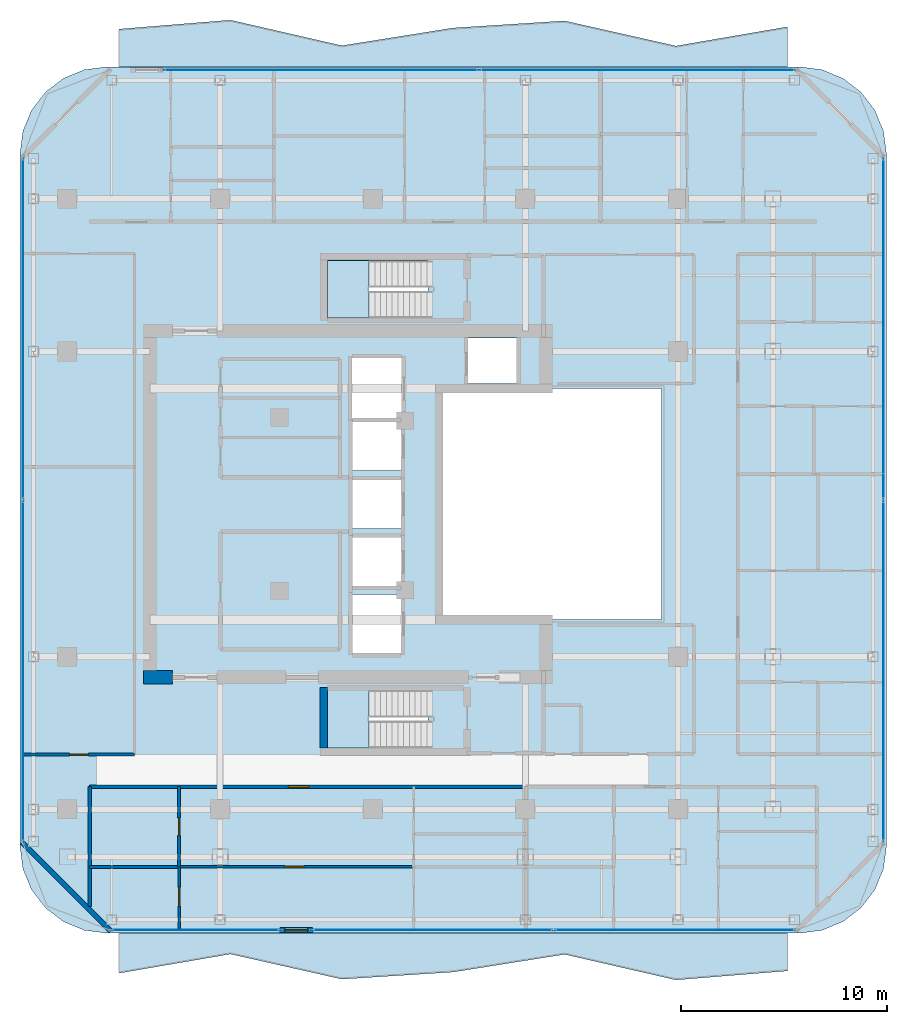
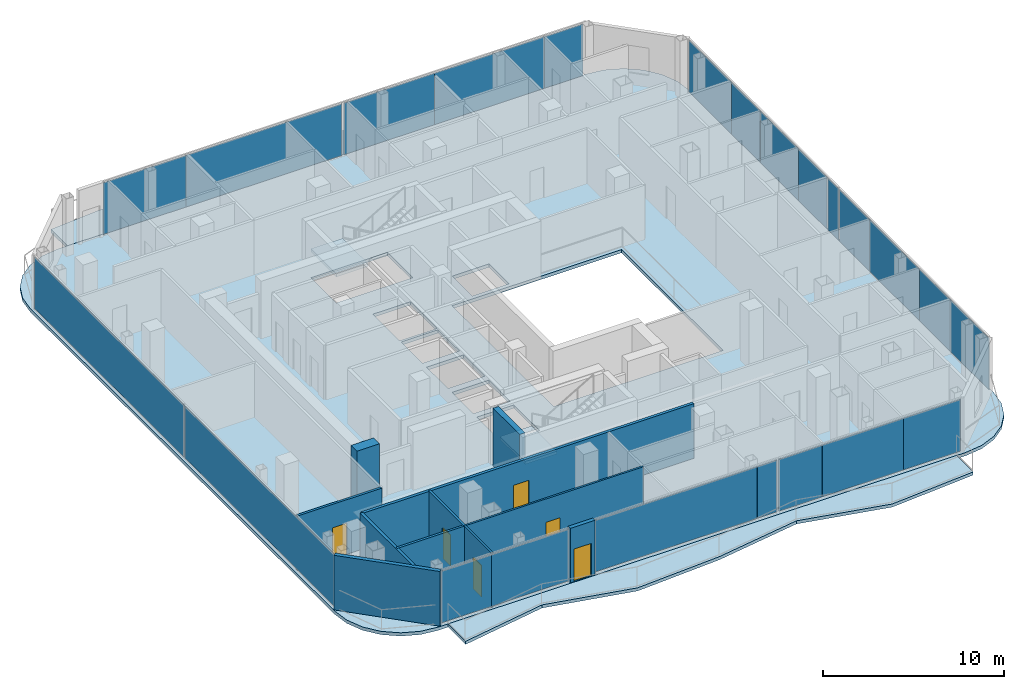
# One storey, part 15 of 23: 23 plates, 11 walls, 6 doors, 5 slabs, 6 openings, 7 elements without a shape of their own.
"""IFC4 building model written with IfcOpenShell, lengths in metres."""

from ifc_helpers import new_model, si_unit, direction, frame, frame_2d, origin, origin_2d, place, context, subcontext, project, spatial, polyline, rectangle, outline, extrude, material, layer, layer_set, type_object, element, fill, aggregate, save


model = new_model("IFC4")

# Units and contexts
model_context = context("Model", 3, precision=1e-05, world=origin(), true_north=direction((0.0, 1.0)))
body_context = subcontext(model_context, "Body", "Model", "MODEL_VIEW")
ifc_project = project(units=[si_unit("LENGTHUNIT", "METRE"), si_unit("AREAUNIT", "SQUARE_METRE"), si_unit("VOLUMEUNIT", "CUBIC_METRE"), si_unit("PLANEANGLEUNIT", "RADIAN"), si_unit("MASSUNIT", "GRAM", prefix="KILO")], contexts=[model_context])

# Site, building, storey
site_placement = place(None, origin())
site = spatial("IfcSite", under=ifc_project, at=site_placement, CompositionType="ELEMENT")
building_placement = place(site_placement, origin())
building = spatial("IfcBuilding", under=site, at=building_placement, Name="Khorvyn Point Tower", CompositionType="ELEMENT")
storey_placement = place(building_placement, frame((0.0, 0.0, 258.60009765625)))
storey = spatial("IfcBuildingStorey", under=building, at=storey_placement, Name="L63", CompositionType="ELEMENT", Elevation=258.60009765625)

# Slabs
ifc_material_1 = material(Name="Concrete C35/45", Category="concrete")
ifc_layer_1 = layer(ifc_material_1, 0.219970703125)
ifc_layer_set_1 = layer_set([ifc_layer_1], Name="Concrete C35/45 Structural Floor Slab 220")
slab_type_1 = type_object("IfcSlabType", Name="Concrete C35/45 Structural Floor Slab 220", PredefinedType="FLOOR", material=ifc_layer_set_1)
slab_1_placement = place(storey_placement, frame((0.0, 0.0, -0.22021484375)))
element("IfcSlab", 1, at=slab_1_placement, inside=storey, type_object=slab_type_1, Name="L63 Main Structural Floor Slab", PredefinedType="FLOOR", context=body_context, shape_type="SweptSolid", body=[
    extrude(outline(polyline([(-12.89990234375, -20.800048828125), (-13.987060546875, -20.656982421875), (-15.0, -20.2373046875), (-15.869873046875, -19.56982421875), (-16.537353515625, -18.699951171875), (-16.956787109375, -17.68701171875), (-17.10009765625, -16.60009765625), (-17.10009765625, 17.0), (-16.956787109375, 18.0869140625), (-16.537353515625, 19.10009765625), (-15.869873046875, 19.9697265625), (-15.0, 20.63720703125), (-13.987060546875, 21.056884765625), (-12.89990234375, 21.199951171875), (20.699951171875, 21.199951171875), (21.787109375, 21.056884765625), (22.800048828125, 20.63720703125), (23.669921875, 19.9697265625), (24.33740234375, 19.10009765625), (24.7568359375, 18.0869140625), (24.89990234375, 17.0), (24.89990234375, -16.60009765625), (24.7568359375, -17.68701171875), (24.33740234375, -18.699951171875), (23.669921875, -19.56982421875), (22.800048828125, -20.2373046875), (21.787109375, -20.656982421875), (20.699951171875, -20.800048828125), (-12.89990234375, -20.800048828125)]), holes=[polyline([(2.679931640625, -11.820068359375), (2.679931640625, -9.02001953125), (-2.199951171875, -9.02001953125), (-2.199951171875, -11.820068359375), (2.679931640625, -11.820068359375)]), polyline([(1.375, -7.22509765625), (1.375, -4.375), (-0.97509765625, -4.375), (-0.97509765625, -7.22509765625), (1.375, -7.22509765625)]), polyline([(1.375, -3.97509765625), (1.375, -1.625), (-0.97509765625, -1.625), (-0.97509765625, -3.97509765625), (1.375, -3.97509765625)]), polyline([(1.375, -1.175048828125), (1.375, 1.175048828125), (-0.97509765625, 1.175048828125), (-0.97509765625, -1.175048828125), (1.375, -1.175048828125)]), polyline([(14.0, -5.60009765625), (14.0, 5.60009765625), (3.199951171875, 5.60009765625), (3.199951171875, -5.60009765625), (14.0, -5.60009765625)]), polyline([(1.375, 1.625), (1.375, 3.97509765625), (-0.97509765625, 3.97509765625), (-0.97509765625, 1.625), (1.375, 1.625)]), polyline([(1.39990234375, 4.125), (1.39990234375, 7.074951171875), (-1.0, 7.074951171875), (-1.0, 4.125), (1.39990234375, 4.125)]), polyline([(4.625, 5.85009765625), (6.97509765625, 5.85009765625), (6.97509765625, 8.054931640625), (4.625, 8.054931640625), (4.625, 5.85009765625)]), polyline([(-2.199951171875, 9.02001953125), (2.679931640625, 9.02001953125), (2.679931640625, 11.820068359375), (-2.199951171875, 11.820068359375), (-2.199951171875, 9.02001953125)])]), origin(), (0.0, 0.0, 1.0), 0.22021484375),
])
ifc_material_2 = material(Name="Concrete C40/50", Category="concrete")
ifc_layer_2 = layer(ifc_material_2, 0.2099609375)
ifc_layer_set_2 = layer_set([ifc_layer_2], Name="Concrete C40/50 Rippling Balcony Slab 210")
slab_type_2 = type_object("IfcSlabType", Name="Concrete C40/50 Rippling Balcony Slab 210", PredefinedType="USERDEFINED", material=ifc_layer_set_2)
slab_2_placement = place(storey_placement, frame((0.0, 0.0, -0.210205078125)))
element("IfcSlab", 2, at=slab_2_placement, inside=storey, type_object=slab_type_2, Name="L63 North Sinusoidal Rippling Balcony", ObjectType="BALCONY", PredefinedType="USERDEFINED", context=body_context, shape_type="SweptSolid", body=[
    extrude(outline(polyline([(20.10009765625, 21.199951171875), (20.10009765625, 23.1416015625), (14.699951171875, 22.21240234375), (9.300048828125, 23.43017578125), (3.89990234375, 23.086669921875), (-1.5, 22.22802734375), (-6.89990234375, 23.46875), (-12.300048828125, 23.031005859375), (-12.300048828125, 21.199951171875), (20.10009765625, 21.199951171875)])), origin(), (0.0, 0.0, 1.0), 0.210205078125),
])
slab_3_placement = place(storey_placement, frame((0.0, 0.0, -0.210205078125)))
element("IfcSlab", 3, at=slab_3_placement, inside=storey, type_object=slab_type_2, Name="L63 South Sinusoidal Rippling Balcony", ObjectType="BALCONY", PredefinedType="USERDEFINED", context=body_context, shape_type="SweptSolid", body=[
    extrude(outline(polyline([(-12.300048828125, -20.800048828125), (-12.300048828125, -22.741455078125), (-6.89990234375, -21.8125), (-1.5, -23.0302734375), (3.89990234375, -22.686767578125), (9.300048828125, -21.827880859375), (14.699951171875, -23.06884765625), (20.10009765625, -22.630859375), (20.10009765625, -20.800048828125), (-12.300048828125, -20.800048828125)])), origin(), (0.0, 0.0, 1.0), 0.210205078125),
])

# Stair, slab
stair_type = type_object("IfcStairType", Name="Tower Concrete C40/50 Dogleg Exit Stair", PredefinedType="HALF_TURN_STAIR", material=ifc_material_2)
stair_1_placement = place(storey_placement, origin())
stair_1 = element("IfcStair", 4, at=stair_1_placement, inside=storey, type_object=stair_type, Name="L63 Tower Smokeproof Exit Stair South", PredefinedType="HALF_TURN_STAIR")
ifc_layer_3 = layer(ifc_material_2, 0.199951171875)
ifc_layer_set_3 = layer_set([ifc_layer_3], Name="Concrete C40/50 Stair Landing Slab 200")
slab_type_3 = type_object("IfcSlabType", Name="Concrete C40/50 Stair Landing Slab 200", PredefinedType="LANDING", material=ifc_layer_set_3)
slab_4_placement = place(storey_placement, frame((0.0, 0.0, 1.75)))
slab_4 = element("IfcSlab", 5, at=slab_4_placement, type_object=slab_type_3, Name="ST-01 landing 1", PredefinedType="LANDING", context=body_context, shape_type="SweptSolid", body=[
    extrude(outline(polyline([(-0.179931640625, -9.02001953125), (-2.199951171875, -9.02001953125), (-2.199951171875, -11.820068359375), (-0.179931640625, -11.820068359375), (-0.179931640625, -9.02001953125)])), origin(), (0.0, 0.0, 1.0), 0.199951171875),
])
aggregate(stair_1, [slab_4])

stair_2_placement = place(storey_placement, origin())
stair_2 = element("IfcStair", 6, at=stair_2_placement, inside=storey, type_object=stair_type, Name="L63 Tower Smokeproof Exit Stair North", PredefinedType="HALF_TURN_STAIR")
slab_5_placement = place(storey_placement, frame((0.0, 0.0, 1.75)))
slab_5 = element("IfcSlab", 7, at=slab_5_placement, type_object=slab_type_3, Name="ST-02 landing 1", PredefinedType="LANDING", context=body_context, shape_type="SweptSolid", body=[
    extrude(outline(polyline([(-0.179931640625, 11.820068359375), (-2.199951171875, 11.820068359375), (-2.199951171875, 9.02001953125), (-0.179931640625, 9.02001953125), (-0.179931640625, 11.820068359375)])), origin(), (0.0, 0.0, 1.0), 0.199951171875),
])
aggregate(stair_2, [slab_5])

# Curtain wall, plates
ifc_material_3 = material(Name="Anodised aluminium 6063-T6 and laminated Low-E glass", Category="aluminium")
ifc_layer_4 = layer(ifc_material_3, 0.18994140625)
ifc_layer_set_4 = layer_set([ifc_layer_4], Name="Stick-Built High-Wind Curtain Wall CW-SYS-04")
curtain_wall_type = type_object("IfcCurtainWallType", Name="Stick-Built High-Wind Curtain Wall CW-SYS-04", PredefinedType="NOTDEFINED", material=ifc_layer_set_4)
curtain_wall_1_placement = place(storey_placement, origin())
curtain_wall_1 = element("IfcCurtainWall", 8, at=curtain_wall_1_placement, inside=storey, type_object=curtain_wall_type, Name="Curtain Wall", PredefinedType="NOTDEFINED")
ifc_material_4 = material(Name="Laminated Low-E insulated glass", Category="glass")
ifc_layer_5 = layer(ifc_material_4, 0.028076171875)
ifc_layer_set_5 = layer_set([ifc_layer_5], Name="Tempered Low-E Vision Glazing Panel CW-GL28")
plate_type = type_object("IfcPlateType", Name="Tempered Low-E Vision Glazing Panel CW-GL28", PredefinedType="CURTAIN_PANEL", material=ifc_layer_set_5)
plate_1_placement = place(storey_placement, frame((10.228515625, -20.64990234375, 0.099853515625), z_axis=(0.0, 0.0, 1.0), x_axis=(-1.0, 0.0, 0.0)))
plate_1 = element("IfcPlate", 9, at=plate_1_placement, type_object=plate_type, Name="Panel", PredefinedType="CURTAIN_PANEL", context=body_context, shape_type="SweptSolid", body=[
    extrude(rectangle(XDim=2.782958984375, YDim=0.028076171875, at=origin_2d()), origin(), (0.0, 0.0, 1.0), 3.47998046875),
])
plate_2_placement = place(storey_placement, frame((14.2109375, -20.64990234375, 0.099853515625), z_axis=(0.0, 0.0, 1.0), x_axis=(-1.0, 0.0, 0.0)))
plate_2 = element("IfcPlate", 10, at=plate_2_placement, type_object=plate_type, Name="Panel", PredefinedType="CURTAIN_PANEL", context=body_context, shape_type="SweptSolid", body=[
    extrude(rectangle(XDim=5.166015625, YDim=0.028076171875, at=origin_2d()), origin(), (0.0, 0.0, 1.0), 3.47998046875),
])
plate_3_placement = place(storey_placement, frame((18.6240234375, -20.64990234375, 0.099853515625), z_axis=(0.0, 0.0, 1.0), x_axis=(-1.0, 0.0, 0.0)))
plate_3 = element("IfcPlate", 11, at=plate_3_placement, type_object=plate_type, Name="Panel", PredefinedType="CURTAIN_PANEL", context=body_context, shape_type="SweptSolid", body=[
    extrude(rectangle(XDim=3.64404296875, YDim=0.028076171875, at=origin_2d()), origin(), (0.0, 0.0, 1.0), 3.47998046875),
])
plate_4_placement = place(storey_placement, frame((2.300048828125, -20.64990234375, 0.099853515625), z_axis=(0.0, 0.0, 1.0), x_axis=(-1.0, 0.0, 0.0)))
plate_4 = element("IfcPlate", 12, at=plate_4_placement, type_object=plate_type, Name="Panel", PredefinedType="CURTAIN_PANEL", context=body_context, shape_type="SweptSolid", body=[
    extrude(rectangle(XDim=10.360107421875, YDim=0.028076171875, at=origin_2d()), origin(), (0.0, 0.0, 1.0), 3.47998046875),
])
plate_5_placement = place(storey_placement, frame((8.1083984375, -20.64990234375, 0.099853515625), z_axis=(0.0, 0.0, 1.0), x_axis=(-1.0, 0.0, 0.0)))
plate_5 = element("IfcPlate", 13, at=plate_5_placement, type_object=plate_type, Name="Panel", PredefinedType="CURTAIN_PANEL", context=body_context, shape_type="SweptSolid", body=[
    extrude(rectangle(XDim=1.240966796875, YDim=0.028076171875, at=origin_2d()), origin(), (0.0, 0.0, 1.0), 3.47998046875),
])
aggregate(curtain_wall_1, [plate_1, plate_2, plate_3, plate_4, plate_5])

curtain_wall_2_placement = place(storey_placement, origin())
curtain_wall_2 = element("IfcCurtainWall", 14, at=curtain_wall_2_placement, inside=storey, type_object=curtain_wall_type, Name="Curtain Wall", PredefinedType="NOTDEFINED")
plate_6_placement = place(storey_placement, frame((-11.050048828125, -20.64990234375, 0.099853515625), z_axis=(0.0, 0.0, 1.0), x_axis=(-1.0, 0.0, 0.0)))
plate_6 = element("IfcPlate", 15, at=plate_6_placement, type_object=plate_type, Name="Panel", PredefinedType="CURTAIN_PANEL", context=body_context, shape_type="SweptSolid", body=[
    extrude(rectangle(XDim=3.19189453125, YDim=0.028076171875, at=origin_2d()), origin(), (0.0, 0.0, 1.0), 3.47998046875),
])
plate_7_placement = place(storey_placement, frame((-6.987060546875, -20.64990234375, 0.099853515625), z_axis=(0.0, 0.0, 1.0), x_axis=(-1.0, 0.0, 0.0)))
plate_7 = element("IfcPlate", 16, at=plate_7_placement, type_object=plate_type, Name="Panel", PredefinedType="CURTAIN_PANEL", context=body_context, shape_type="SweptSolid", body=[
    extrude(rectangle(XDim=4.91796875, YDim=0.028076171875, at=origin_2d()), origin(), (0.0, 0.0, 1.0), 3.47998046875),
])
aggregate(curtain_wall_2, [plate_6, plate_7])

curtain_wall_3_placement = place(storey_placement, origin())
curtain_wall_3 = element("IfcCurtainWall", 17, at=curtain_wall_3_placement, inside=storey, type_object=curtain_wall_type, Name="Curtain Wall", PredefinedType="NOTDEFINED")
plate_8_placement = place(storey_placement, frame((-7.488525390625, 21.050048828125, 0.099853515625), z_axis=(0.0, 0.0, 1.0), x_axis=(1.0, 0.0, 0.0)))
plate_8 = element("IfcPlate", 18, at=plate_8_placement, type_object=plate_type, Name="Panel", PredefinedType="CURTAIN_PANEL", context=body_context, shape_type="SweptSolid", body=[
    extrude(rectangle(XDim=5.262939453125, YDim=0.028076171875, at=origin_2d()), origin(), (0.0, 0.0, 1.0), 3.47998046875),
])
plate_9_placement = place(storey_placement, frame((0.1298828125, 21.050048828125, 0.099853515625), z_axis=(0.0, 0.0, 1.0), x_axis=(1.0, 0.0, 0.0)))
plate_9 = element("IfcPlate", 19, at=plate_9_placement, type_object=plate_type, Name="Panel", PredefinedType="CURTAIN_PANEL", context=body_context, shape_type="SweptSolid", body=[
    extrude(rectangle(XDim=9.9580078125, YDim=0.028076171875, at=origin_2d()), origin(), (0.0, 0.0, 1.0), 3.47998046875),
])
plate_10_placement = place(storey_placement, frame((8.097412109375, 21.050048828125, 0.099853515625), z_axis=(0.0, 0.0, 1.0), x_axis=(1.0, 0.0, 0.0)))
plate_10 = element("IfcPlate", 20, at=plate_10_placement, type_object=plate_type, Name="Panel", PredefinedType="CURTAIN_PANEL", context=body_context, shape_type="SweptSolid", body=[
    extrude(rectangle(XDim=5.760986328125, YDim=0.028076171875, at=origin_2d()), origin(), (0.0, 0.0, 1.0), 3.47998046875),
])
plate_11_placement = place(storey_placement, frame((14.49609375, 21.050048828125, 0.099853515625), z_axis=(0.0, 0.0, 1.0), x_axis=(1.0, 0.0, 0.0)))
plate_11 = element("IfcPlate", 21, at=plate_11_placement, type_object=plate_type, Name="Panel", PredefinedType="CURTAIN_PANEL", context=body_context, shape_type="SweptSolid", body=[
    extrude(rectangle(XDim=7.02001953125, YDim=0.028076171875, at=origin_2d()), origin(), (0.0, 0.0, 1.0), 3.47998046875),
])
plate_12_placement = place(storey_placement, frame((19.22998046875, 21.050048828125, 0.099853515625), z_axis=(0.0, 0.0, 1.0), x_axis=(1.0, 0.0, 0.0)))
plate_12 = element("IfcPlate", 22, at=plate_12_placement, type_object=plate_type, Name="Panel", PredefinedType="CURTAIN_PANEL", context=body_context, shape_type="SweptSolid", body=[
    extrude(rectangle(XDim=2.431884765625, YDim=0.028076171875, at=origin_2d()), origin(), (0.0, 0.0, 1.0), 3.47998046875),
])
aggregate(curtain_wall_3, [plate_8, plate_9, plate_10, plate_11, plate_12])

curtain_wall_4_placement = place(storey_placement, origin())
curtain_wall_4 = element("IfcCurtainWall", 23, at=curtain_wall_4_placement, inside=storey, type_object=curtain_wall_type, Name="Curtain Wall", PredefinedType="NOTDEFINED")
plate_13_placement = place(storey_placement, frame((-16.949951171875, -8.10009765625, 0.099853515625), z_axis=(0.0, 0.0, 1.0), x_axis=(0.0, 1.0, 0.0)))
plate_13 = element("IfcPlate", 24, at=plate_13_placement, type_object=plate_type, Name="Panel", PredefinedType="CURTAIN_PANEL", context=body_context, shape_type="SweptSolid", body=[
    extrude(rectangle(XDim=16.5, YDim=0.028076171875, at=origin_2d()), origin(), (0.0, 0.0, 1.0), 3.47998046875),
])
plate_14_placement = place(storey_placement, frame((-16.949951171875, 8.5, 0.099853515625), z_axis=(0.0, 0.0, 1.0), x_axis=(0.0, 1.0, 0.0)))
plate_14 = element("IfcPlate", 25, at=plate_14_placement, type_object=plate_type, Name="Panel", PredefinedType="CURTAIN_PANEL", context=body_context, shape_type="SweptSolid", body=[
    extrude(rectangle(XDim=16.5, YDim=0.028076171875, at=origin_2d()), origin(), (0.0, 0.0, 1.0), 3.47998046875),
])
aggregate(curtain_wall_4, [plate_13, plate_14])

curtain_wall_5_placement = place(storey_placement, origin())
curtain_wall_5 = element("IfcCurtainWall", 26, at=curtain_wall_5_placement, inside=storey, type_object=curtain_wall_type, Name="Curtain Wall", PredefinedType="NOTDEFINED")
plate_15_placement = place(storey_placement, frame((24.75, 0.822021484375, 0.099853515625), z_axis=(0.0, 0.0, 1.0), x_axis=(0.0, -1.0, 0.0)))
plate_15 = element("IfcPlate", 27, at=plate_15_placement, type_object=plate_type, Name="Panel", PredefinedType="CURTAIN_PANEL", context=body_context, shape_type="SweptSolid", body=[
    extrude(rectangle(XDim=1.135986328125, YDim=0.028076171875, at=origin_2d()), origin(), (0.0, 0.0, 1.0), 3.47998046875),
])
plate_16_placement = place(storey_placement, frame((24.75, 3.10009765625, 0.099853515625), z_axis=(0.0, 0.0, 1.0), x_axis=(0.0, -1.0, 0.0)))
plate_16 = element("IfcPlate", 28, at=plate_16_placement, type_object=plate_type, Name="Panel", PredefinedType="CURTAIN_PANEL", context=body_context, shape_type="SweptSolid", body=[
    extrude(rectangle(XDim=3.1640625, YDim=0.028076171875, at=origin_2d()), origin(), (0.0, 0.0, 1.0), 3.47998046875),
])
plate_17_placement = place(storey_placement, frame((24.75, 6.787109375, 0.099853515625), z_axis=(0.0, 0.0, 1.0), x_axis=(0.0, -1.0, 0.0)))
plate_17 = element("IfcPlate", 29, at=plate_17_placement, type_object=plate_type, Name="Panel", PredefinedType="CURTAIN_PANEL", context=body_context, shape_type="SweptSolid", body=[
    extrude(rectangle(XDim=4.194091796875, YDim=0.028076171875, at=origin_2d()), origin(), (0.0, 0.0, 1.0), 3.47998046875),
])
plate_18_placement = place(storey_placement, frame((24.75, 10.47412109375, 0.099853515625), z_axis=(0.0, 0.0, 1.0), x_axis=(0.0, -1.0, 0.0)))
plate_18 = element("IfcPlate", 30, at=plate_18_placement, type_object=plate_type, Name="Panel", PredefinedType="CURTAIN_PANEL", context=body_context, shape_type="SweptSolid", body=[
    extrude(rectangle(XDim=3.1640625, YDim=0.028076171875, at=origin_2d()), origin(), (0.0, 0.0, 1.0), 3.47998046875),
])
plate_19_placement = place(storey_placement, frame((24.75, 14.405029296875, 0.099853515625), z_axis=(0.0, 0.0, 1.0), x_axis=(0.0, -1.0, 0.0)))
plate_19 = element("IfcPlate", 31, at=plate_19_placement, type_object=plate_type, Name="Panel", PredefinedType="CURTAIN_PANEL", context=body_context, shape_type="SweptSolid", body=[
    extrude(rectangle(XDim=4.681884765625, YDim=0.028076171875, at=origin_2d()), origin(), (0.0, 0.0, 1.0), 3.47998046875),
])
plate_20_placement = place(storey_placement, frame((24.75, -14.205078125, 0.099853515625), z_axis=(0.0, 0.0, 1.0), x_axis=(0.0, -1.0, 0.0)))
plate_20 = element("IfcPlate", 32, at=plate_20_placement, type_object=plate_type, Name="Panel", PredefinedType="CURTAIN_PANEL", context=body_context, shape_type="SweptSolid", body=[
    extrude(rectangle(XDim=4.281982421875, YDim=0.028076171875, at=origin_2d()), origin(), (0.0, 0.0, 1.0), 3.47998046875),
])
plate_21_placement = place(storey_placement, frame((24.75, -10.37353515625, 0.099853515625), z_axis=(0.0, 0.0, 1.0), x_axis=(0.0, -1.0, 0.0)))
plate_21 = element("IfcPlate", 33, at=plate_21_placement, type_object=plate_type, Name="Panel", PredefinedType="CURTAIN_PANEL", context=body_context, shape_type="SweptSolid", body=[
    extrude(rectangle(XDim=3.364990234375, YDim=0.028076171875, at=origin_2d()), origin(), (0.0, 0.0, 1.0), 3.47998046875),
])
plate_22_placement = place(storey_placement, frame((24.75, -5.925048828125, 0.099853515625), z_axis=(0.0, 0.0, 1.0), x_axis=(0.0, -1.0, 0.0)))
plate_22 = element("IfcPlate", 34, at=plate_22_placement, type_object=plate_type, Name="Panel", PredefinedType="CURTAIN_PANEL", context=body_context, shape_type="SweptSolid", body=[
    extrude(rectangle(XDim=5.51611328125, YDim=0.028076171875, at=origin_2d()), origin(), (0.0, 0.0, 1.0), 3.47998046875),
])
plate_23_placement = place(storey_placement, frame((24.75, -1.506591796875, 0.099853515625), z_axis=(0.0, 0.0, 1.0), x_axis=(0.0, -1.0, 0.0)))
plate_23 = element("IfcPlate", 35, at=plate_23_placement, type_object=plate_type, Name="Panel", PredefinedType="CURTAIN_PANEL", context=body_context, shape_type="SweptSolid", body=[
    extrude(rectangle(XDim=3.304931640625, YDim=0.028076171875, at=origin_2d()), origin(), (0.0, 0.0, 1.0), 3.47998046875),
])
aggregate(curtain_wall_5, [plate_15, plate_16, plate_17, plate_18, plate_19, plate_20, plate_21, plate_22, plate_23])

# Wall, opening, door
ifc_material_5 = material(Name="Double acoustic gypsum on twin steel stud", Category="steel")
ifc_layer_6 = layer(ifc_material_5, 0.179931640625)
ifc_layer_set_6 = layer_set([ifc_layer_6], Name="Acoustic Double-Stud Apartment Demising Wall 180")
wall_type_1 = type_object("IfcWallType", Name="Acoustic Double-Stud Apartment Demising Wall 180", PredefinedType="PARTITIONING", material=ifc_layer_set_6)
wall_1_placement = place(storey_placement, frame((-13.719970703125, -13.699951171875, 0.0), z_axis=(0.0, 0.0, 1.0), x_axis=(1.0, 0.0, 0.0)))
wall_1 = element("IfcWall", 36, at=wall_1_placement, inside=storey, type_object=wall_type_1, Name="Wall", PredefinedType="PARTITIONING", context=body_context, shape_type="SweptSolid", body=[
    extrude(rectangle(XDim=21.14404296875, YDim=0.179931640625, at=frame_2d((10.572021484375, 0.0))), origin(), (0.0, 0.0, 1.0), 3.679931640625),
])
opening_1_placement = place(wall_1_placement, frame((9.62548828125, 0.0, 0.0)))
opening_1 = element("IfcOpeningElement", 37, at=opening_1_placement, cuts=wall_1, Name="Opening ID-AP60", PredefinedType="OPENING", context=body_context, shape_type="SweptSolid", body=[
    extrude(rectangle(XDim=1.0, YDim=2.199951171875, at=frame_2d((0.5, 1.10009765625))), frame((0.0, 0.099853515625, 0.0), z_axis=(0.0, -1.0, 0.0), x_axis=(1.0, 0.0, 0.0)), (0.0, 0.0, 1.0), 0.199951171875),
])
ifc_material_6 = material(Name="Engineered hardwood fire-rated leaf", Category="wood")
door_type_1 = type_object("IfcDoorType", Name="Acoustic Solid-Core Timber Apartment Entrance Door 1000x2200", OperationType="NOTDEFINED", PredefinedType="DOOR", material=ifc_material_6)
door_1_placement = place(opening_1_placement, origin())
door_1 = element("IfcDoor", 38, at=door_1_placement, inside=storey, type_object=door_type_1, Name="Door", OperationType="SINGLE_SWING_RIGHT", OverallHeight=2.199951171875, OverallWidth=1.0, PredefinedType="DOOR", context=body_context, shape_type="SweptSolid", body=[
    extrude(rectangle(XDim=1.0, YDim=2.199951171875, at=frame_2d((0.5, 1.10009765625))), frame((0.0, 0.02490234375, 0.0), z_axis=(0.0, -1.0, 0.0), x_axis=(1.0, 0.0, 0.0)), (0.0, 0.0, 1.0), 0.050048828125),
])
fill(opening_1, door_1)

# Wall
wall_2_placement = place(storey_placement, frame((-13.719970703125, -19.510009765625, 0.0), z_axis=(0.0, 0.0, 1.0), x_axis=(0.0, 1.0, 0.0)))
element("IfcWall", 39, at=wall_2_placement, inside=storey, type_object=wall_type_1, Name="Wall", PredefinedType="PARTITIONING", context=body_context, shape_type="SweptSolid", body=[
    extrude(rectangle(XDim=5.81005859375, YDim=0.179931640625, at=frame_2d((2.905029296875, 0.0))), origin(), (0.0, 0.0, 1.0), 3.679931640625),
])

# Wall, opening, door
ifc_material_7 = material(Name="Pale anodised aluminium rainscreen on steel stud", Category="steel")
ifc_layer_7 = layer(ifc_material_7, 0.239990234375)
ifc_layer_set_7 = layer_set([ifc_layer_7], Name="Anodised Aluminium Insulated Corner Spandrel Wall 240")
wall_type_2 = type_object("IfcWallType", Name="Anodised Aluminium Insulated Corner Spandrel Wall 240", PredefinedType="SOLIDWALL", material=ifc_layer_set_7)
wall_3_placement = place(storey_placement, frame((-2.9140625, -20.64990234375, 0.0), z_axis=(0.0, 0.0, 1.0), x_axis=(-1.0, 0.0, 0.0)))
wall_3 = element("IfcWall", 40, at=wall_3_placement, inside=storey, type_object=wall_type_2, Name="L63 South Outdoor Threshold Wall", PredefinedType="SOLIDWALL", context=body_context, shape_type="SweptSolid", body=[
    extrude(rectangle(XDim=1.579833984375, YDim=0.239990234375, at=frame_2d((0.7900390625, 0.0))), origin(), (0.0, 0.0, 1.0), 3.679931640625),
])
opening_2_placement = place(wall_3_placement, frame((0.239990234375, 0.0, 0.0)))
opening_2 = element("IfcOpeningElement", 41, at=opening_2_placement, cuts=wall_3, Name="Opening BD-1122", PredefinedType="OPENING", context=body_context, shape_type="SweptSolid", body=[
    extrude(rectangle(XDim=1.10009765625, YDim=2.199951171875, at=frame_2d((0.550048828125, 1.10009765625))), frame((0.0, 0.1298828125, 0.0), z_axis=(0.0, -1.0, 0.0), x_axis=(1.0, 0.0, 0.0)), (0.0, 0.0, 1.0), 0.260009765625),
])
door_type_2 = type_object("IfcDoorType", Name="Glazed Balcony and Terrace Threshold Door 1100x2200", OperationType="NOTDEFINED", PredefinedType="DOOR", material=ifc_material_3)
door_2_placement = place(opening_2_placement, origin())
door_2 = element("IfcDoor", 42, at=door_2_placement, inside=storey, type_object=door_type_2, Name="L63 South Glazed Balcony Outdoor Door", OperationType="SINGLE_SWING_RIGHT", OverallHeight=2.199951171875, OverallWidth=1.10009765625, PredefinedType="DOOR", context=body_context, shape_type="SweptSolid", body=[
    extrude(rectangle(XDim=1.10009765625, YDim=2.199951171875, at=frame_2d((0.550048828125, 1.10009765625))), frame((0.0, 0.02490234375, 0.0), z_axis=(0.0, -1.0, 0.0), x_axis=(1.0, 0.0, 0.0)), (0.0, 0.0, 1.0), 0.050048828125),
])
fill(opening_2, door_2)

# Walls
wall_4_placement = place(storey_placement, frame((-12.70751953125, -20.6923828125, 0.0), z_axis=(0.0, 0.0, 1.0), x_axis=(-0.707126925818, 0.707086635981, 0.0)))
element("IfcWall", 43, at=wall_4_placement, inside=storey, type_object=wall_type_2, Name="L63 Rounded Corner Wall SW", PredefinedType="SOLIDWALL", context=body_context, shape_type="SweptSolid", body=[
    extrude(rectangle(XDim=6.0595703125, YDim=0.239990234375, at=frame_2d((3.02978515625, 0.0))), origin(), (0.0, 0.0, 1.0), 3.679931640625),
])
ifc_layer_8 = layer(ifc_material_2, 0.64990234375)
ifc_layer_set_8 = layer_set([ifc_layer_8], Name="Concrete C40/50 Core Shear Wall 650")
wall_type_3 = type_object("IfcWallType", Name="Concrete C40/50 Core Shear Wall 650", PredefinedType="SHEAR", material=ifc_layer_set_8)
wall_5_placement = place(storey_placement, frame((-11.125, -8.39990234375, 0.0), z_axis=(0.0, 0.0, 1.0), x_axis=(1.0, 0.0, 0.0)))
element("IfcWall", 44, at=wall_5_placement, inside=storey, type_object=wall_type_3, Name="Wall", PredefinedType="SHEAR", context=body_context, shape_type="SweptSolid", body=[
    extrude(rectangle(XDim=1.425048828125, YDim=0.64990234375, at=frame_2d((0.71240234375, 0.0))), origin(), (0.0, 0.0, 1.0), 3.89990234375),
])
ifc_layer_9 = layer(ifc_material_2, 0.35009765625)
ifc_layer_set_9 = layer_set([ifc_layer_9], Name="Concrete C40/50 Stair Shaft Structural Wall 350")
wall_type_4 = type_object("IfcWallType", Name="Concrete C40/50 Stair Shaft Structural Wall 350", PredefinedType="SHEAR", material=ifc_layer_set_9)
wall_6_placement = place(storey_placement, frame((-2.3798828125, -11.824951171875, 0.0), z_axis=(0.0, 0.0, 1.0), x_axis=(0.0, 1.0, 0.0)))
element("IfcWall", 45, at=wall_6_placement, inside=storey, type_object=wall_type_4, Name="L63 ST-01 West Shaft Wall", PredefinedType="SHEAR", context=body_context, shape_type="SweptSolid", body=[
    extrude(rectangle(XDim=2.925048828125, YDim=0.35009765625, at=frame_2d((1.46240234375, 0.0))), origin(), (0.0, 0.0, 1.0), 3.89990234375),
])

# Wall, opening, door
ifc_material_8 = material(Name="Gypsum plasterboard on steel stud", Category="steel")
ifc_layer_10 = layer(ifc_material_8, 0.1201171875)
ifc_layer_set_10 = layer_set([ifc_layer_10], Name="Gypsum Acoustic Stud Room Partition Wall 120")
wall_type_5 = type_object("IfcWallType", Name="Gypsum Acoustic Stud Room Partition Wall 120", PredefinedType="PARTITIONING", material=ifc_layer_set_10)
wall_7_placement = place(storey_placement, frame((-9.389892578125, -17.590087890625, 0.0), z_axis=(0.0, 0.0, 1.0), x_axis=(1.0, 0.0, 0.0)))
wall_7 = element("IfcWall", 46, at=wall_7_placement, inside=storey, type_object=wall_type_5, Name="Wall", PredefinedType="PARTITIONING", context=body_context, shape_type="SweptSolid", body=[
    extrude(rectangle(XDim=11.372802734375, YDim=0.1201171875, at=frame_2d((5.6865234375, 0.0))), origin(), (0.0, 0.0, 1.0), 3.679931640625),
])
opening_3_placement = place(wall_7_placement, frame((5.1474609375, 0.0, 0.0)))
opening_3 = element("IfcOpeningElement", 47, at=opening_3_placement, cuts=wall_7, Name="Opening ID-RM90", PredefinedType="OPENING", context=body_context, shape_type="SweptSolid", body=[
    extrude(rectangle(XDim=0.89990234375, YDim=2.10009765625, at=frame_2d((0.449951171875, 1.050048828125))), frame((0.0, 0.070068359375, 0.0), z_axis=(0.0, -1.0, 0.0), x_axis=(1.0, 0.0, 0.0)), (0.0, 0.0, 1.0), 0.14013671875),
])
ifc_material_9 = material(Name="Engineered oak veneer timber", Category="wood")
door_type_3 = type_object("IfcDoorType", Name="Flush Engineered Timber Room Door 900x2100", OperationType="NOTDEFINED", PredefinedType="DOOR", material=ifc_material_9)
door_3_placement = place(opening_3_placement, origin())
door_3 = element("IfcDoor", 48, at=door_3_placement, inside=storey, type_object=door_type_3, Name="Door", OperationType="SINGLE_SWING_LEFT", OverallHeight=2.10009765625, OverallWidth=0.89990234375, PredefinedType="DOOR", context=body_context, shape_type="SweptSolid", body=[
    extrude(rectangle(XDim=0.89990234375, YDim=2.10009765625, at=frame_2d((0.449951171875, 1.050048828125))), frame((0.0, 0.02490234375, 0.0), z_axis=(0.0, -1.0, 0.0), x_axis=(1.0, 0.0, 0.0)), (0.0, 0.0, 1.0), 0.050048828125),
])
fill(opening_3, door_3)

wall_8_placement = place(storey_placement, frame((-9.389892578125, -20.6298828125, 0.0), z_axis=(0.0, 0.0, 1.0), x_axis=(0.0, 1.0, 0.0)))
wall_8 = element("IfcWall", 49, at=wall_8_placement, inside=storey, type_object=wall_type_5, Name="Wall", PredefinedType="PARTITIONING", context=body_context, shape_type="SweptSolid", body=[
    extrude(rectangle(XDim=3.039794921875, YDim=0.1201171875, at=frame_2d((1.52001953125, 0.0))), origin(), (0.0, 0.0, 1.0), 3.679931640625),
])
opening_4_placement = place(wall_8_placement, frame((1.152587890625, 0.0, 0.0)))
opening_4 = element("IfcOpeningElement", 50, at=opening_4_placement, cuts=wall_8, Name="Opening ID-RM90", PredefinedType="OPENING", context=body_context, shape_type="SweptSolid", body=[
    extrude(rectangle(XDim=0.89990234375, YDim=2.10009765625, at=frame_2d((0.449951171875, 1.050048828125))), frame((0.0, 0.070068359375, 0.0), z_axis=(0.0, -1.0, 0.0), x_axis=(1.0, 0.0, 0.0)), (0.0, 0.0, 1.0), 0.14013671875),
])
door_4_placement = place(opening_4_placement, origin())
door_4 = element("IfcDoor", 51, at=door_4_placement, inside=storey, type_object=door_type_3, Name="Door", OperationType="SINGLE_SWING_LEFT", OverallHeight=2.10009765625, OverallWidth=0.89990234375, PredefinedType="DOOR", context=body_context, shape_type="SweptSolid", body=[
    extrude(rectangle(XDim=0.89990234375, YDim=2.10009765625, at=frame_2d((0.449951171875, 1.050048828125))), frame((0.0, 0.02490234375, 0.0), z_axis=(0.0, -1.0, 0.0), x_axis=(1.0, 0.0, 0.0)), (0.0, 0.0, 1.0), 0.050048828125),
])
fill(opening_4, door_4)

ifc_material_10 = material(Name="Moisture-resistant gypsum and cement board", Category="gypsum")
ifc_layer_11 = layer(ifc_material_10, 0.14990234375)
ifc_layer_set_11 = layer_set([ifc_layer_11], Name="Moisture-Resistant Wet-Room Partition Wall 150")
wall_type_6 = type_object("IfcWallType", Name="Moisture-Resistant Wet-Room Partition Wall 150", PredefinedType="PARTITIONING", material=ifc_layer_set_11)
wall_9_placement = place(storey_placement, frame((-9.389892578125, -17.590087890625, 0.0), z_axis=(0.0, 0.0, 1.0), x_axis=(0.0, 1.0, 0.0)))
wall_9 = element("IfcWall", 52, at=wall_9_placement, inside=storey, type_object=wall_type_6, Name="Wall", PredefinedType="PARTITIONING", context=body_context, shape_type="SweptSolid", body=[
    extrude(rectangle(XDim=3.89013671875, YDim=0.14990234375, at=frame_2d((1.945068359375, 0.0))), origin(), (0.0, 0.0, 1.0), 3.679931640625),
])
opening_5_placement = place(wall_9_placement, frame((1.52001953125, 0.0, 0.0)))
opening_5 = element("IfcOpeningElement", 53, at=opening_5_placement, cuts=wall_9, Name="Opening ID-WC85", PredefinedType="OPENING", context=body_context, shape_type="SweptSolid", body=[
    extrude(rectangle(XDim=0.85009765625, YDim=2.10009765625, at=frame_2d((0.425048828125, 1.050048828125))), frame((0.0, 0.0849609375, 0.0), z_axis=(0.0, -1.0, 0.0), x_axis=(1.0, 0.0, 0.0)), (0.0, 0.0, 1.0), 0.169921875),
])
ifc_material_11 = material(Name="High-pressure laminate on moisture-resistant core", Category="wood")
door_type_4 = type_object("IfcDoorType", Name="Moisture-Resistant Accessible Washroom Door 850x2100", OperationType="NOTDEFINED", PredefinedType="DOOR", material=ifc_material_11)
door_5_placement = place(opening_5_placement, origin())
door_5 = element("IfcDoor", 54, at=door_5_placement, inside=storey, type_object=door_type_4, Name="Door", OperationType="SINGLE_SWING_RIGHT", OverallHeight=2.10009765625, OverallWidth=0.85009765625, PredefinedType="DOOR", context=body_context, shape_type="SweptSolid", body=[
    extrude(rectangle(XDim=0.85009765625, YDim=2.10009765625, at=frame_2d((0.425048828125, 1.050048828125))), frame((0.0, 0.02490234375, 0.0), z_axis=(0.0, -1.0, 0.0), x_axis=(1.0, 0.0, 0.0)), (0.0, 0.0, 1.0), 0.050048828125),
])
fill(opening_5, door_5)

wall_10_placement = place(storey_placement, frame((-16.929931640625, -12.139892578125, 0.0), z_axis=(0.0, 0.0, 1.0), x_axis=(1.0, 0.0, 0.0)))
wall_10 = element("IfcWall", 55, at=wall_10_placement, inside=storey, type_object=wall_type_6, Name="Wall", PredefinedType="PARTITIONING", context=body_context, shape_type="SweptSolid", body=[
    extrude(rectangle(XDim=5.3798828125, YDim=0.14990234375, at=frame_2d((2.68994140625, 0.0))), origin(), (0.0, 0.0, 1.0), 3.679931640625),
])
opening_6_placement = place(wall_10_placement, frame((2.239990234375, 0.0, 0.0)))
opening_6 = element("IfcOpeningElement", 56, at=opening_6_placement, cuts=wall_10, Name="Opening ID-RM90", PredefinedType="OPENING", context=body_context, shape_type="SweptSolid", body=[
    extrude(rectangle(XDim=0.89990234375, YDim=2.10009765625, at=frame_2d((0.449951171875, 1.050048828125))), frame((0.0, 0.0849609375, 0.0), z_axis=(0.0, -1.0, 0.0), x_axis=(1.0, 0.0, 0.0)), (0.0, 0.0, 1.0), 0.169921875),
])
door_6_placement = place(opening_6_placement, origin())
door_6 = element("IfcDoor", 57, at=door_6_placement, inside=storey, type_object=door_type_3, Name="Door", OperationType="SINGLE_SWING_LEFT", OverallHeight=2.10009765625, OverallWidth=0.89990234375, PredefinedType="DOOR", context=body_context, shape_type="SweptSolid", body=[
    extrude(rectangle(XDim=0.89990234375, YDim=2.10009765625, at=frame_2d((0.449951171875, 1.050048828125))), frame((0.0, 0.02490234375, 0.0), z_axis=(0.0, -1.0, 0.0), x_axis=(1.0, 0.0, 0.0)), (0.0, 0.0, 1.0), 0.050048828125),
])
fill(opening_6, door_6)

# Wall
wall_11_placement = place(storey_placement, frame((-13.719970703125, -17.590087890625, 0.0), z_axis=(0.0, 0.0, 1.0), x_axis=(1.0, 0.0, 0.0)))
element("IfcWall", 58, at=wall_11_placement, inside=storey, type_object=wall_type_6, Name="Wall", PredefinedType="PARTITIONING", context=body_context, shape_type="SweptSolid", body=[
    extrude(rectangle(XDim=4.330078125, YDim=0.14990234375, at=frame_2d((2.1650390625, 0.0))), origin(), (0.0, 0.0, 1.0), 3.679931640625),
])

save(model, "model.ifc")
